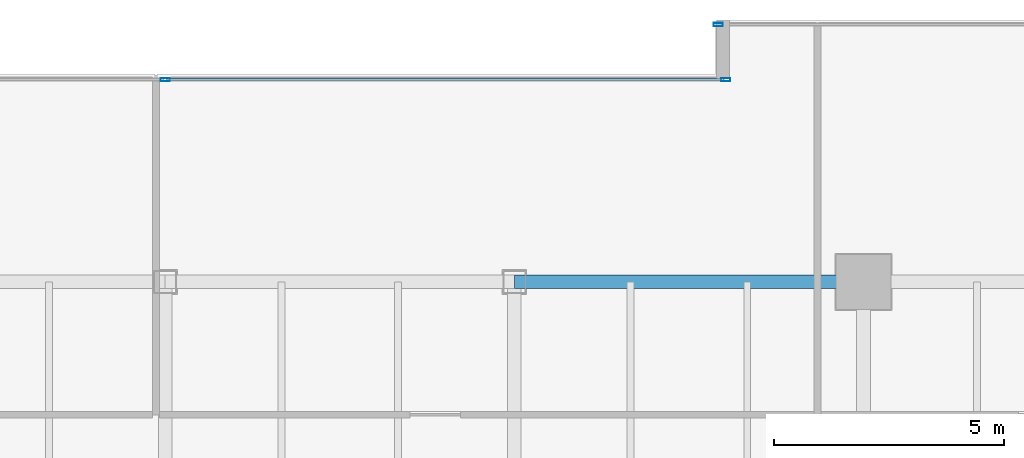
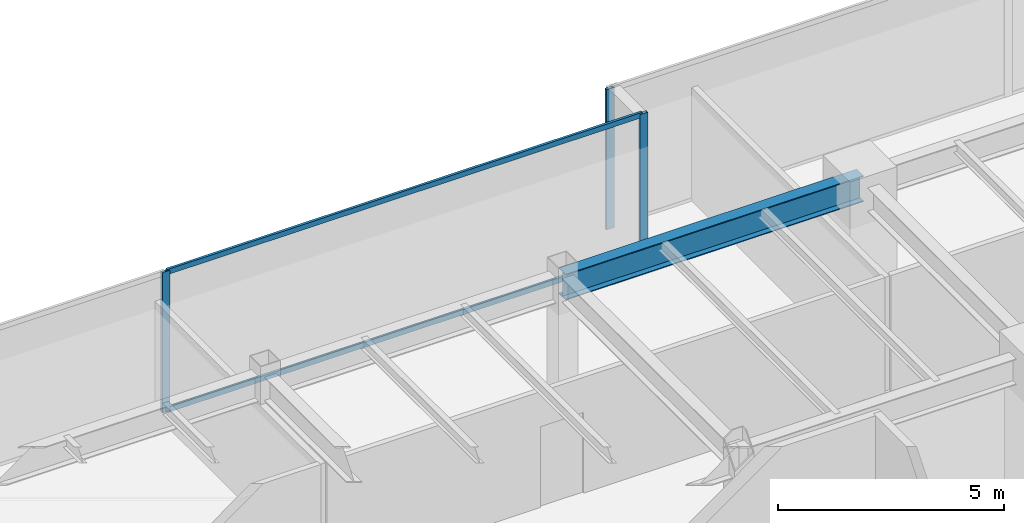
# One storey, part 18 of 33: 5 members, 1 beam, 2 elements without a shape of their own.
"""IFC4 building model written with IfcOpenShell, lengths in metres."""

from ifc_helpers import new_model, si_unit, direction, frame, origin, origin_2d, place, context, subcontext, project, spatial, hollow_rectangle, i_section, extrude, source, transform, mapped, material, layer, layer_set, material_profile, profile_set, type_object, type_shapes, element, aggregate, save


model = new_model("IFC4")

# Units and contexts
model_context = context("Model", 3, precision=1e-05, world=origin(), true_north=direction((0.0, 1.0)))
body_context = subcontext(model_context, "Body", "Model", "MODEL_VIEW")
ifc_project = project(units=[si_unit("LENGTHUNIT", "METRE"), si_unit("AREAUNIT", "SQUARE_METRE"), si_unit("VOLUMEUNIT", "CUBIC_METRE"), si_unit("PLANEANGLEUNIT", "RADIAN"), si_unit("MASSUNIT", "GRAM", prefix="KILO")], contexts=[model_context])

# Site, building, storey
site_placement = place(None, origin())
site = spatial("IfcSite", under=ifc_project, at=site_placement, CompositionType="ELEMENT")
building_placement = place(site_placement, origin())
building = spatial("IfcBuilding", under=site, at=building_placement, Name="Haelvirn Gate Laboratories", CompositionType="ELEMENT")
storey_placement = place(building_placement, frame((0.0, 0.0, 137.89990234375)))
storey = spatial("IfcBuildingStorey", under=building, at=storey_placement, Name="L33", CompositionType="ELEMENT", Elevation=137.89990234375)

# Beam
ifc_material_1 = material(Name="Steel SM355", Category="steel")
ifc_material_profile_1 = material_profile(ifc_material_1, i_section(OverallWidth=0.300048828125, OverallDepth=0.699951171875, WebThickness=0.012939453125, FlangeThickness=0.02392578125, at=origin_2d()), Name="H-700x300x13x24")
ifc_profile_set_1 = profile_set([ifc_material_profile_1], Name="Steel SM355")
beam_type = type_object("IfcBeamType", Name="BM-G-700", PredefinedType="BEAM", material=ifc_profile_set_1)
shared_shape_1 = source(origin(), body_context, "Body", "SweptSolid", [
    extrude(i_section(OverallWidth=0.300048828125, OverallDepth=0.699951171875, WebThickness=0.012939453125, FlangeThickness=0.02392578125, at=origin_2d()), origin(), (0.0, 0.0, 1.0), 7.60009765625),
])
type_shapes(beam_type, [shared_shape_1])
beam_placement = place(storey_placement, frame((45.0, 41.60009765625, 3.440185546875), z_axis=(1.0, 0.0, 0.0), x_axis=(0.0, 1.0, 0.0)))
element("IfcBeam", 1, at=beam_placement, inside=storey, type_object=beam_type, Name="L33 Primary Girder Y41.6 (45.0-52.6)", PredefinedType="BEAM", context=body_context, shape_type="MappedRepresentation", body=[
    mapped(shared_shape_1, transform((0.0, 0.0, 0.0), scale=1.0)),
])

# Curtain wall, members
ifc_material_2 = material(Name="Anodised bronze unitised aluminium & triple low-E glass", Category="aluminium")
ifc_layer = layer(ifc_material_2, 0.179931640625, Name="CW-SYS-3")
ifc_layer_set = layer_set([ifc_layer], Name="Anodised bronze unitised aluminium & triple low-E glass")
curtain_wall_type = type_object("IfcCurtainWallType", Name="CW-SYS-3", PredefinedType="NOTDEFINED", material=ifc_layer_set)
curtain_wall_1_placement = place(storey_placement, origin())
curtain_wall_1 = element("IfcCurtainWall", 2, at=curtain_wall_1_placement, inside=storey, type_object=curtain_wall_type, Name="L33 Unitised Curtain Wall CW-L33-P0-E12-1", PredefinedType="NOTDEFINED")
ifc_material_3 = material(Name="Extruded aluminium 6063-T6 (anodised bronze)", Category="aluminium")
ifc_material_profile_2 = material_profile(ifc_material_3, hollow_rectangle(XDim=0.06494140625, YDim=0.139892578125, WallThickness=0.00390625, at=origin_2d()), Name="CWT-140x65x4")
ifc_profile_set_2 = profile_set([ifc_material_profile_2], Name="Extruded aluminium 6063-T6 (anodised bronze)")
member_type_1 = type_object("IfcMemberType", Name="CWT-T140", PredefinedType="USERDEFINED", material=ifc_profile_set_2)
shared_shape_2 = source(origin(), body_context, "Body", "SweptSolid", [
    extrude(hollow_rectangle(XDim=0.06494140625, YDim=0.139892578125, WallThickness=0.00390625, at=origin_2d()), origin(), (0.0, 0.0, 1.0), 12.12744140625),
])
type_shapes(member_type_1, [shared_shape_2])
member_1_placement = place(storey_placement, frame((37.4375, 46.0, 0.03271484375), z_axis=(1.0, 0.0, 0.0), x_axis=(0.0, 1.0, 0.0)))
member_1 = element("IfcMember", 3, at=member_1_placement, type_object=member_type_1, Name="CW3 transom 2.1", ObjectType="TRANSOM", PredefinedType="USERDEFINED", context=body_context, shape_type="MappedRepresentation", body=[
    mapped(shared_shape_2, transform((0.0, 0.0, 0.0), scale=1.0)),
])
member_2_placement = place(storey_placement, frame((37.4375, 46.0, 3.757568359375), z_axis=(1.0, 0.0, 0.0), x_axis=(0.0, 1.0, 0.0)))
member_2 = element("IfcMember", 4, at=member_2_placement, type_object=member_type_1, Name="CW3 transom 2.2", ObjectType="TRANSOM", PredefinedType="USERDEFINED", context=body_context, shape_type="MappedRepresentation", body=[
    mapped(shared_shape_2, transform((0.0, 0.0, 0.0), scale=1.0)),
])

# Curtain wall, member
curtain_wall_2_placement = place(storey_placement, origin())
curtain_wall_2 = element("IfcCurtainWall", 5, at=curtain_wall_2_placement, inside=storey, type_object=curtain_wall_type, Name="L33 Unitised Curtain Wall CW-L33-P0-E10-1", PredefinedType="NOTDEFINED")
ifc_material_profile_3 = material_profile(ifc_material_3, hollow_rectangle(XDim=0.074951171875, YDim=0.199951171875, WallThickness=0.0048828125, at=origin_2d()), Name="CWM-200x75x5")
ifc_profile_set_3 = profile_set([ifc_material_profile_3], Name="Extruded aluminium 6063-T6 (anodised bronze)")
member_type_2 = type_object("IfcMemberType", Name="CWM-T200", PredefinedType="MULLION", material=ifc_profile_set_3)
shared_shape_3 = source(origin(), body_context, "Body", "SweptSolid", [
    extrude(hollow_rectangle(XDim=0.074951171875, YDim=0.199951171875, WallThickness=0.0048828125, at=origin_2d()), origin(), (0.0, 0.0, 1.0), 3.7900390625),
])
type_shapes(member_type_2, [shared_shape_3])
member_3_placement = place(storey_placement, frame((49.4375, 47.199951171875, 0.0), z_axis=(0.0, 0.0, 1.0), x_axis=(0.0, 1.0, 0.0)))
member_3 = element("IfcMember", 6, at=member_3_placement, type_object=member_type_2, Name="CW3 mullion 1", PredefinedType="MULLION", context=body_context, shape_type="MappedRepresentation", body=[
    mapped(shared_shape_3, transform((0.0, 0.0, 0.0), scale=1.0)),
])
aggregate(curtain_wall_2, [member_3])

# Member
member_4_placement = place(storey_placement, frame((37.39990234375, 46.0, 0.0), z_axis=(0.0, 0.0, 1.0), x_axis=(0.0, 1.0, 0.0)))
member_4 = element("IfcMember", 7, at=member_4_placement, type_object=member_type_2, Name="CW3 mullion 2", PredefinedType="MULLION", context=body_context, shape_type="MappedRepresentation", body=[
    mapped(shared_shape_3, transform((0.0, 0.0, 0.0), scale=1.0)),
])

member_5_placement = place(storey_placement, frame((49.6025390625, 46.0, 0.0), z_axis=(0.0, 0.0, 1.0), x_axis=(0.0, 1.0, 0.0)))
member_5 = element("IfcMember", 8, at=member_5_placement, type_object=member_type_2, Name="CW3 mullion 3", PredefinedType="MULLION", context=body_context, shape_type="MappedRepresentation", body=[
    mapped(shared_shape_3, transform((0.0, 0.0, 0.0), scale=1.0)),
])

aggregate(curtain_wall_1, [member_4, member_5, member_1, member_2])

save(model, "model.ifc")
